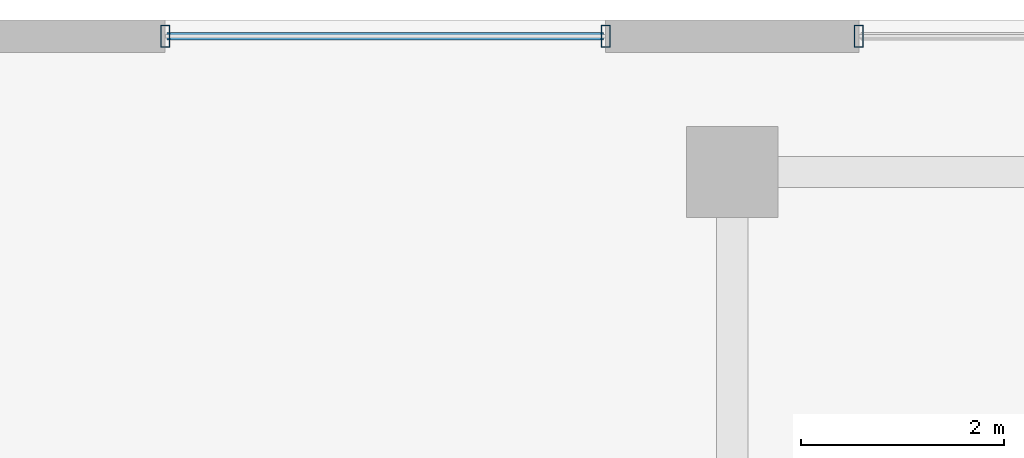
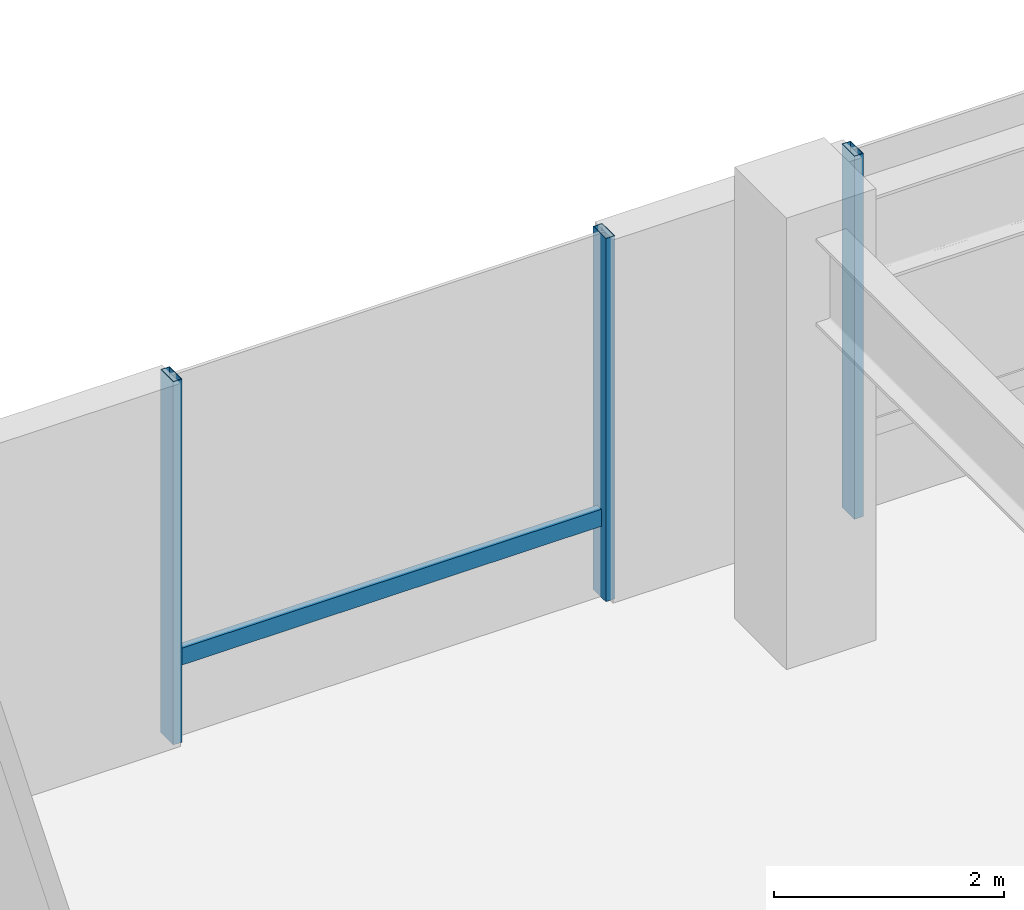
# One storey, part 5 of 24: 4 members, 2 elements without a shape of their own.
"""IFC4 building model written with IfcOpenShell, lengths in metres."""

from ifc_helpers import new_model, si_unit, direction, frame, origin, origin_2d, place, context, subcontext, project, spatial, hollow_rectangle, extrude, material, material_profile, profile_set, type_object, element, aggregate, save


model = new_model("IFC4")

# Units and contexts
model_context = context("Model", 3, precision=1e-05, world=origin(), true_north=direction((0.0, 1.0)))
body_context = subcontext(model_context, "Body", "Model", "MODEL_VIEW")
ifc_project = project(units=[si_unit("LENGTHUNIT", "METRE"), si_unit("AREAUNIT", "SQUARE_METRE"), si_unit("VOLUMEUNIT", "CUBIC_METRE"), si_unit("PLANEANGLEUNIT", "RADIAN"), si_unit("MASSUNIT", "GRAM", prefix="KILO")], contexts=[model_context])

# Site, building, storey
site_placement = place(None, origin())
site = spatial("IfcSite", under=ifc_project, at=site_placement, CompositionType="ELEMENT")
building_placement = place(site_placement, origin())
building = spatial("IfcBuilding", under=site, at=building_placement, Name="Thornwick Lancets Civic Towers", CompositionType="ELEMENT")
storey_placement = place(building_placement, origin())
storey = spatial("IfcBuildingStorey", under=building, at=storey_placement, Name="L00", CompositionType="ELEMENT", Elevation=0.0)

# Curtain wall, member
ifc_material_1 = material(Name="Bronze aluminium Gothic lancet podium curtain wall", Category="aluminium")
curtain_wall_type = type_object("IfcCurtainWallType", Name="CW_SYS_01", PredefinedType="NOTDEFINED", material=ifc_material_1)
curtain_wall_1_placement = place(storey_placement, origin())
curtain_wall_1 = element("IfcCurtainWall", 1, at=curtain_wall_1_placement, inside=storey, type_object=curtain_wall_type, Name="L00 Curtain Wall CW-L00-POD-NC-S3", PredefinedType="NOTDEFINED")
ifc_material_2 = material(Name="Thermally broken bronze aluminium S355", Category="steel")
ifc_material_profile_1 = material_profile(ifc_material_2, hollow_rectangle(XDim=0.090087890625, YDim=0.219970703125, WallThickness=0.00634765625, at=origin_2d()), Name="RHS 220x90x6.3")
ifc_profile_set_1 = profile_set([ifc_material_profile_1], Name="Thermally broken bronze aluminium S355")
member_type_1 = type_object("IfcMemberType", Name="CW_MUL_220", PredefinedType="MULLION", material=ifc_profile_set_1)
member_1_placement = place(storey_placement, frame((49.25, 49.340087890625, 0.0), z_axis=(0.0, 0.0, 1.0), x_axis=(1.0, 0.0, 0.0)))
member_1 = element("IfcMember", 2, at=member_1_placement, type_object=member_type_1, Name="CW-L00-POD-NC-S3 Mullion 1", PredefinedType="MULLION", context=body_context, shape_type="SweptSolid", body=[
    extrude(hollow_rectangle(XDim=0.090087890625, YDim=0.219970703125, WallThickness=0.00634765625, at=origin_2d()), origin(), (0.0, 0.0, 1.0), 3.860107421875),
])
aggregate(curtain_wall_1, [member_1])

# Curtain wall, members
curtain_wall_2_placement = place(storey_placement, origin())
curtain_wall_2 = element("IfcCurtainWall", 3, at=curtain_wall_2_placement, inside=storey, type_object=curtain_wall_type, Name="L00 Curtain Wall CW-L00-POD-NC-S4", PredefinedType="NOTDEFINED")
member_2_placement = place(storey_placement, frame((46.75, 49.340087890625, 0.0), z_axis=(0.0, 0.0, 1.0), x_axis=(1.0, 0.0, 0.0)))
member_2 = element("IfcMember", 4, at=member_2_placement, type_object=member_type_1, Name="CW-L00-POD-NC-S4 Mullion 0", PredefinedType="MULLION", context=body_context, shape_type="SweptSolid", body=[
    extrude(hollow_rectangle(XDim=0.090087890625, YDim=0.219970703125, WallThickness=0.00634765625, at=origin_2d()), origin(), (0.0, 0.0, 1.0), 3.860107421875),
])
member_3_placement = place(storey_placement, frame((42.39990234375, 49.340087890625, 0.0), z_axis=(0.0, 0.0, 1.0), x_axis=(1.0, 0.0, 0.0)))
member_3 = element("IfcMember", 5, at=member_3_placement, type_object=member_type_1, Name="CW-L00-POD-NC-S4 Mullion 1", PredefinedType="MULLION", context=body_context, shape_type="SweptSolid", body=[
    extrude(hollow_rectangle(XDim=0.090087890625, YDim=0.219970703125, WallThickness=0.00634765625, at=origin_2d()), origin(), (0.0, 0.0, 1.0), 3.860107421875),
])
ifc_material_profile_2 = material_profile(ifc_material_2, hollow_rectangle(XDim=0.074951171875, YDim=0.179931640625, WallThickness=0.006103515625, at=origin_2d()), Name="RHS 180x75x6")
ifc_profile_set_2 = profile_set([ifc_material_profile_2], Name="Thermally broken bronze aluminium S355")
member_type_2 = type_object("IfcMemberType", Name="CW_TRN_180", PredefinedType="USERDEFINED", material=ifc_profile_set_2)
member_4_placement = place(storey_placement, frame((46.72998046875, 49.340087890625, 0.85009765625), z_axis=(-1.0, 0.0, 0.0), x_axis=(0.0, -1.0, 0.0)))
member_4 = element("IfcMember", 6, at=member_4_placement, type_object=member_type_2, Name="CW-L00-POD-NC-S4 Transom 0", ObjectType="TRANSOM", PredefinedType="USERDEFINED", context=body_context, shape_type="SweptSolid", body=[
    extrude(hollow_rectangle(XDim=0.074951171875, YDim=0.179931640625, WallThickness=0.006103515625, at=origin_2d()), origin(), (0.0, 0.0, 1.0), 4.31005859375),
])
aggregate(curtain_wall_2, [member_2, member_3, member_4])

save(model, "model.ifc")
